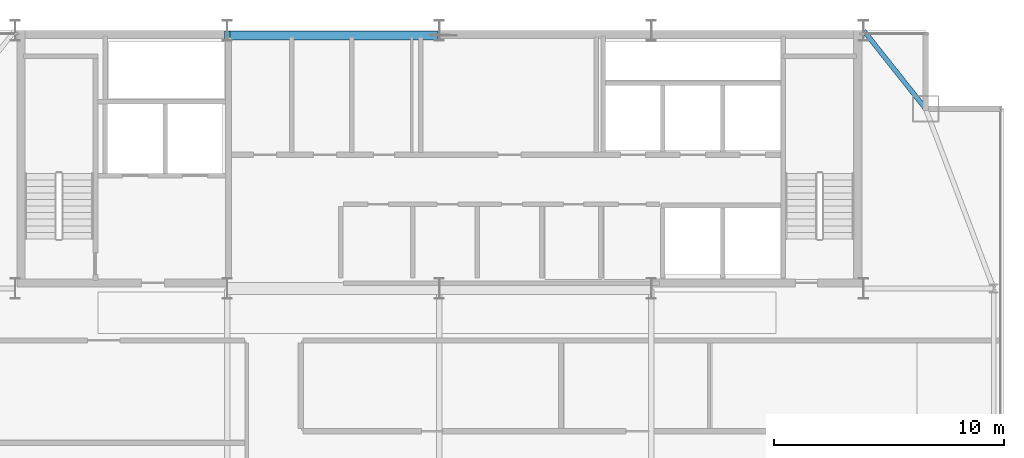
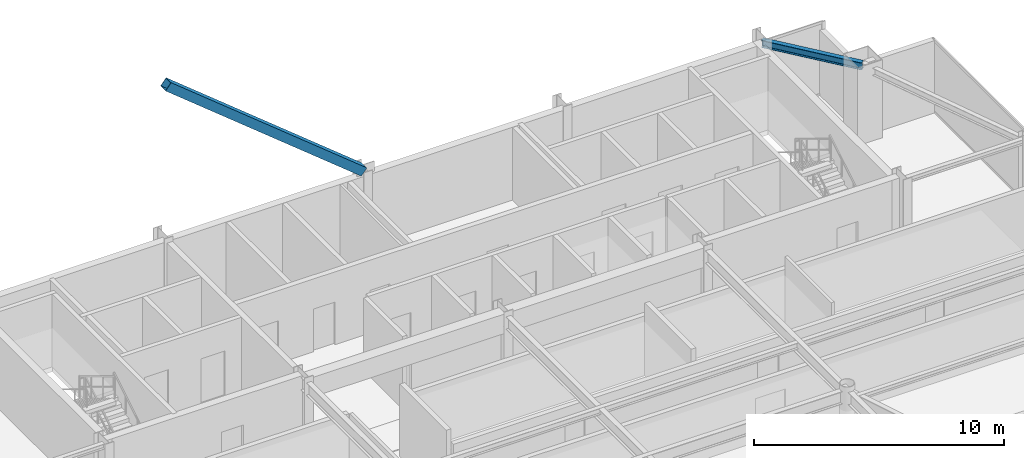
# One storey, part 18 of 26: 1 beam, 1 member.
"""IFC4 building model written with IfcOpenShell, lengths in metres."""

from ifc_helpers import new_model, si_unit, direction, frame, origin, origin_2d, place, context, subcontext, project, spatial, hollow_rectangle, i_section, extrude, source, transform, mapped, material, material_profile, profile_set, type_object, type_shapes, element, save


model = new_model("IFC4")

# Units and contexts
model_context = context("Model", 3, precision=1e-05, world=origin(), true_north=direction((0.0, 1.0)))
body_context = subcontext(model_context, "Body", "Model", "MODEL_VIEW")
ifc_project = project(units=[si_unit("LENGTHUNIT", "METRE"), si_unit("AREAUNIT", "SQUARE_METRE"), si_unit("VOLUMEUNIT", "CUBIC_METRE"), si_unit("PLANEANGLEUNIT", "RADIAN"), si_unit("MASSUNIT", "GRAM", prefix="KILO")], contexts=[model_context])

# Site, building, storey
site_placement = place(None, origin())
site = spatial("IfcSite", under=ifc_project, at=site_placement, CompositionType="ELEMENT")
building_placement = place(site_placement, origin())
building = spatial("IfcBuilding", under=site, at=building_placement, Name="Varnel Quay Broadcast Tower", CompositionType="ELEMENT")
storey_placement = place(building_placement, frame((0.0, 0.0, 218.800048828125)))
storey = spatial("IfcBuildingStorey", under=building, at=storey_placement, Name="L54", CompositionType="ELEMENT", Elevation=218.800048828125)

# Beam
ifc_material = material(Name="Structural Steel CSA G40.21 350W", Category="steel")
ifc_material_profile_1 = material_profile(ifc_material, i_section(OverallWidth=0.205078125, OverallDepth=0.35400390625, WebThickness=0.009521484375, FlangeThickness=0.016845703125, FilletRadius=0.012939453125, at=origin_2d()), Name="W360X79")
ifc_profile_set_1 = profile_set([ifc_material_profile_1], Name="Structural Steel CSA G40.21 350W")
beam_type = type_object("IfcBeamType", Name="Beam_W360X79", PredefinedType="SPANDREL", material=ifc_profile_set_1)
shared_shape_1 = source(origin(), body_context, "Body", "SweptSolid", [
    extrude(i_section(OverallWidth=0.205078125, OverallDepth=0.35400390625, WebThickness=0.009521484375, FlangeThickness=0.016845703125, FilletRadius=0.012939453125, at=origin_2d()), origin(), (0.0, 0.0, 1.0), 4.301513671875),
])
type_shapes(beam_type, [shared_shape_1])
beam_placement = place(storey_placement, frame((52.412353515625, 46.7841796875, 3.373046875), z_axis=(0.621936399401, -0.783067758946, 0.0), x_axis=(0.783067758946, 0.621936399401, 0.0)))
element("IfcBeam", 1, at=beam_placement, inside=storey, type_object=beam_type, Name="L54 NE Tie Spandrel", PredefinedType="SPANDREL", context=body_context, shape_type="MappedRepresentation", body=[
    mapped(shared_shape_1, transform((0.0, 0.0, 0.0), x_axis=(1.0, 0.0, 0.0), y_axis=(0.0, 1.0, 0.0), z_axis=(0.0, 0.0, 1.0), scale=1.0)),
])

# Member
ifc_material_profile_2 = material_profile(ifc_material, hollow_rectangle(XDim=0.406005859375, YDim=0.406005859375, WallThickness=0.01611328125, at=origin_2d()), Name="HSS406X406X16")
ifc_profile_set_2 = profile_set([ifc_material_profile_2], Name="Structural Steel CSA G40.21 350W")
member_type = type_object("IfcMemberType", Name="Brace_HSS406X406X16", PredefinedType="BRACE", material=ifc_profile_set_2)
shared_shape_2 = source(origin(), body_context, "Body", "SweptSolid", [
    extrude(hollow_rectangle(XDim=0.406005859375, YDim=0.406005859375, WallThickness=0.01611328125, at=origin_2d()), origin(), (0.0, 0.0, 1.0), 11.608642578125),
])
type_shapes(member_type, [shared_shape_2])
member_placement = place(storey_placement, frame((33.8193359375, 46.580078125, 3.8212890625), z_axis=(-0.776938680611, 0.0, 0.629576275418), x_axis=(0.0, -1.0, 0.0)))
element("IfcMember", 2, at=member_placement, inside=storey, type_object=member_type, Name="Zone 4 Mega-Brace N-CT2 Split Diag B2", PredefinedType="BRACE", context=body_context, shape_type="MappedRepresentation", body=[
    mapped(shared_shape_2, transform((0.0, 0.0, 0.0), x_axis=(1.0, 0.0, 0.0), y_axis=(0.0, 1.0, 0.0), z_axis=(0.0, 0.0, 1.0), scale=1.0)),
])

save(model, "model.ifc")
